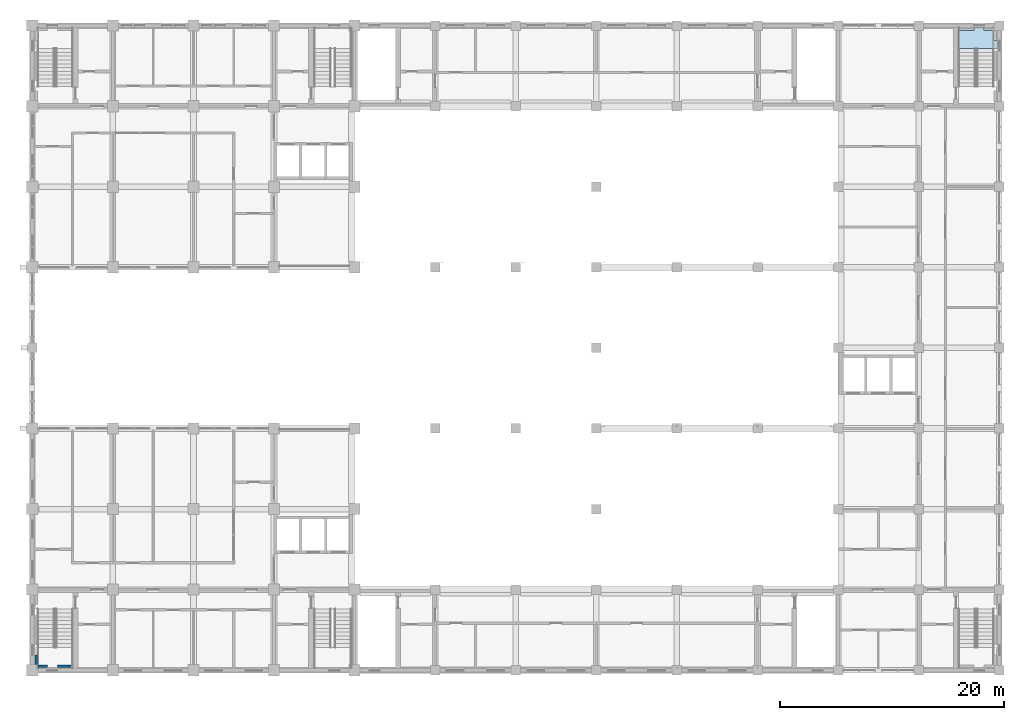
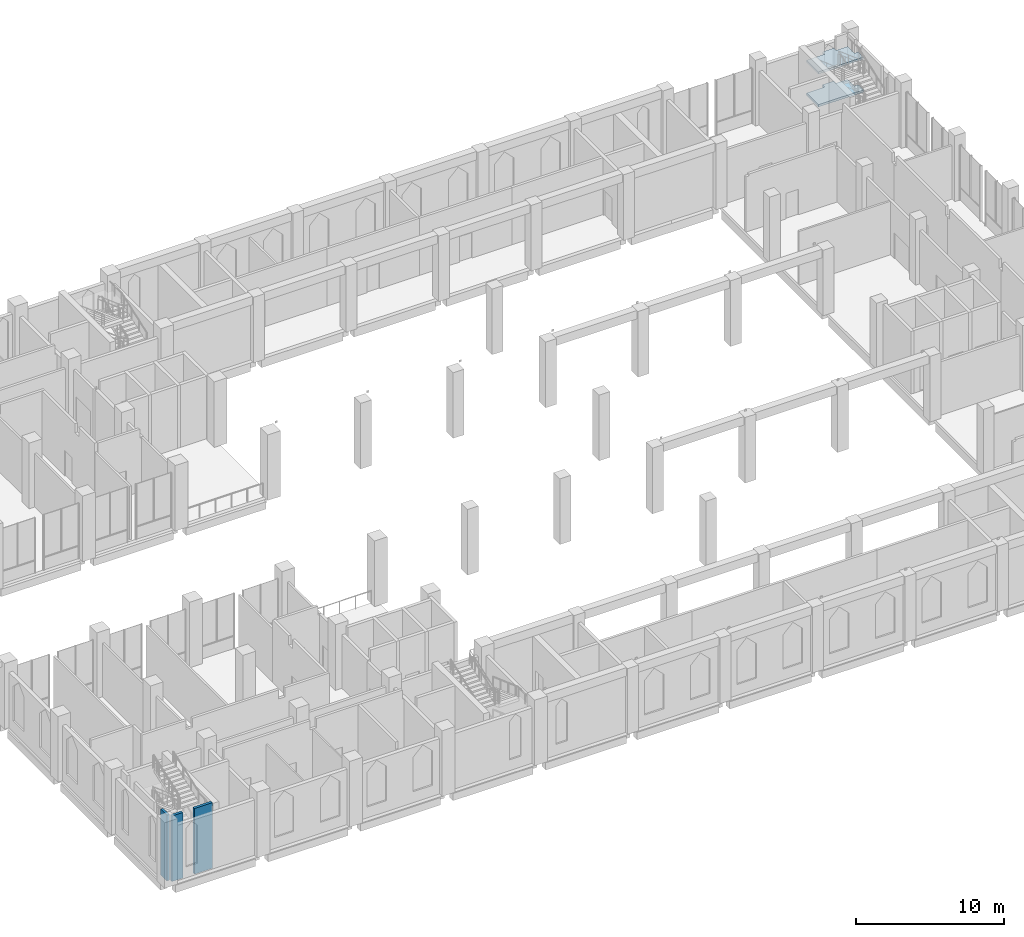
# One storey, part 26 of 48: 3 walls, 2 slabs, 1 element without a shape of its own.
"""IFC4 building model written with IfcOpenShell, lengths in metres."""

from ifc_helpers import new_model, si_unit, direction, frame, frame_2d, origin, place, context, subcontext, project, spatial, polyline, rectangle, outline, extrude, material, layer, layer_set, type_object, element, aggregate, save


model = new_model("IFC4")

# Units and contexts
model_context = context("Model", 3, precision=1e-05, world=origin(), true_north=direction((0.0, 1.0)))
body_context = subcontext(model_context, "Body", "Model", "MODEL_VIEW")
ifc_project = project(units=[si_unit("LENGTHUNIT", "METRE"), si_unit("AREAUNIT", "SQUARE_METRE"), si_unit("VOLUMEUNIT", "CUBIC_METRE"), si_unit("PLANEANGLEUNIT", "RADIAN"), si_unit("MASSUNIT", "GRAM", prefix="KILO")], contexts=[model_context])

# Site, building, storey
site_placement = place(None, origin())
site = spatial("IfcSite", under=ifc_project, at=site_placement, CompositionType="ELEMENT")
building_placement = place(site_placement, origin())
building = spatial("IfcBuilding", under=site, at=building_placement, Name="Silangan Lancet Faculty of Sciences", CompositionType="ELEMENT")
storey_placement = place(building_placement, frame((0.0, 0.0, 6.0)))
storey = spatial("IfcBuildingStorey", under=building, at=storey_placement, Name="L01", CompositionType="ELEMENT", Elevation=6.0)

# Stair, slabs
ifc_material_1 = material(Name="Concrete C40/50", Category="concrete")
stair_type = type_object("IfcStairType", Name="TURRET STAIR 1550 FOUR-FLIGHT", PredefinedType="DOUBLE_RETURN_STAIR", material=ifc_material_1)
stair_placement = place(storey_placement, origin())
stair = element("IfcStair", 1, at=stair_placement, inside=storey, type_object=stair_type, Name="EB-B stair L01", PredefinedType="DOUBLE_RETURN_STAIR")
ifc_material_2 = material(Name="Concrete C40/50", Category="concrete")
ifc_layer_1 = layer(ifc_material_2, 0.179931640625)
ifc_layer_set_1 = layer_set([ifc_layer_1], Name="Concrete C40/50")
slab_type = type_object("IfcSlabType", Name="TURRET STAIR LANDING RC 180", PredefinedType="LANDING", material=ifc_layer_set_1)
slab_1_placement = place(storey_placement, frame((0.0, 0.0, 1.169921875)))
slab_1 = element("IfcSlab", 2, at=slab_1_placement, type_object=slab_type, Name="STR10 landing 2", PredefinedType="LANDING", context=body_context, shape_type="SweptSolid", body=[
    extrude(outline(polyline([(84.14990234375, 57.449951171875), (85.050048828125, 57.449951171875), (85.050048828125, 57.14990234375), (85.949951171875, 57.14990234375), (85.949951171875, 56.25), (86.25, 56.25), (86.25, 55.550048828125), (82.75, 55.550048828125), (82.75, 57.14990234375), (84.14990234375, 57.14990234375), (84.14990234375, 57.449951171875)])), origin(), (0.0, 0.0, 1.0), 0.18017578125),
])
slab_2_placement = place(storey_placement, frame((0.0, 0.0, 3.8701171875)))
slab_2 = element("IfcSlab", 3, at=slab_2_placement, type_object=slab_type, Name="STR10 landing 4", PredefinedType="LANDING", context=body_context, shape_type="SweptSolid", body=[
    extrude(outline(polyline([(84.14990234375, 57.449951171875), (85.050048828125, 57.449951171875), (85.050048828125, 57.14990234375), (85.949951171875, 57.14990234375), (85.949951171875, 56.25), (86.25, 56.25), (86.25, 55.550048828125), (82.75, 55.550048828125), (82.75, 57.14990234375), (84.14990234375, 57.14990234375), (84.14990234375, 57.449951171875)])), origin(), (0.0, 0.0, 1.0), 0.179931640625),
])
aggregate(stair, [slab_1, slab_2])

# Walls
ifc_material_3 = material(Name="Concrete C40/50", Category="concrete")
ifc_layer_2 = layer(ifc_material_3, 0.199951171875)
ifc_layer_set_2 = layer_set([ifc_layer_2], Name="Concrete C40/50")
wall_type = type_object("IfcWallType", Name="TURRET LINING WALL RC 200", PredefinedType="SHEAR", material=ifc_layer_set_2)
for number, where, z_axis, x_axis, name in (
    (4, (0.35009765625, 0.5, -0.25), (0.0, 0.0, 1.0), (0.0, 1.0, 0.0), "WALL-L01-ST-A-WL"),
    (5, (0.5, 0.35009765625, -0.25), (0.0, 0.0, 1.0), (1.0, 0.0, 0.0), "WALL-L01-ST-A-WLD"),
):
    element("IfcWall", number, at=place(storey_placement, frame(where, z_axis=z_axis, x_axis=x_axis)), inside=storey, type_object=wall_type, Name=name, PredefinedType="SHEAR", context=body_context, shape_type="SweptSolid", body=[
        extrude(rectangle(XDim=0.85009765625, YDim=0.199951171875, at=frame_2d((0.425048828125, 0.0))), origin(), (0.0, 0.0, 1.0), 5.39990234375),
    ])
wall_placement = place(storey_placement, frame((2.25, 0.35009765625, -0.25), z_axis=(0.0, 0.0, 1.0), x_axis=(1.0, 0.0, 0.0)))
element("IfcWall", 6, at=wall_placement, inside=storey, type_object=wall_type, Name="WALL-L01-ST-A-WLD-2", PredefinedType="SHEAR", context=body_context, shape_type="SweptSolid", body=[
    extrude(rectangle(XDim=1.39990234375, YDim=0.199951171875, at=frame_2d((0.699951171875, 0.0))), origin(), (0.0, 0.0, 1.0), 5.39990234375),
])

save(model, "model.ifc")
